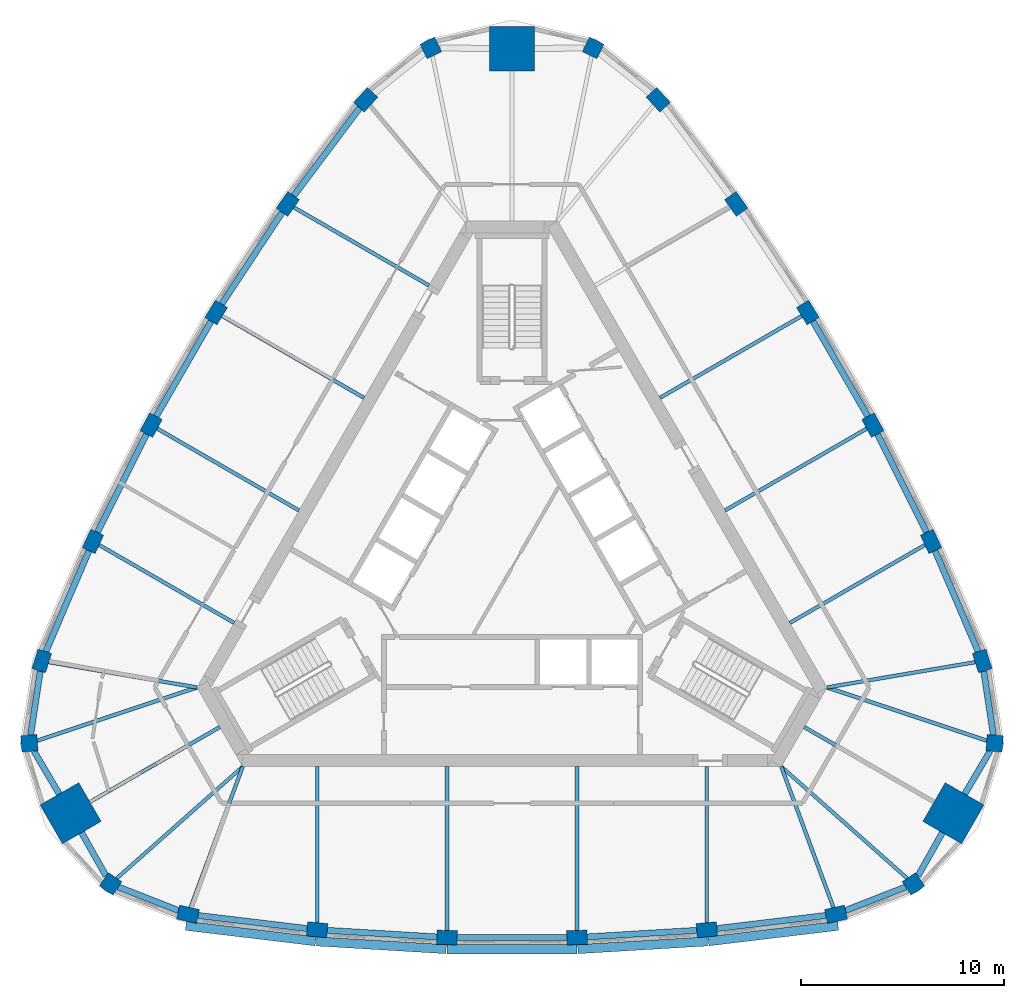
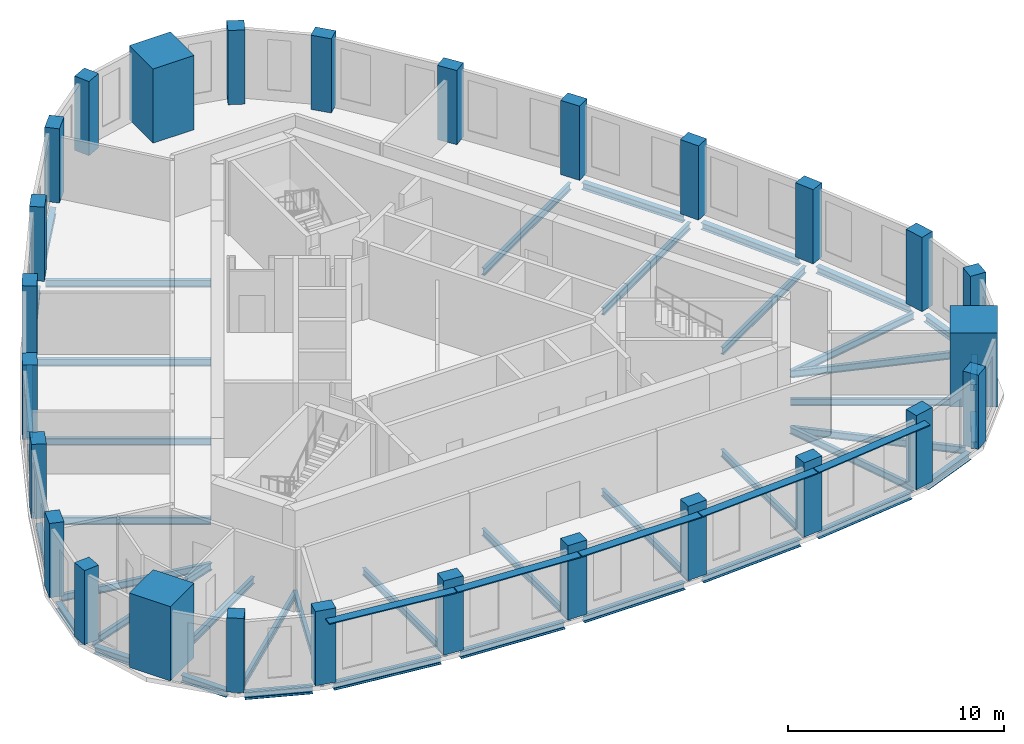
# One storey, part 1 of 8: 42 beams, 27 columns, 5 members.
"""IFC4 building model written with IfcOpenShell, lengths in metres."""

from ifc_helpers import new_model, si_unit, direction, frame, origin, origin_2d, place, context, subcontext, project, spatial, rectangle, i_section, extrude, material, material_profile, profile_set, type_object, element, save


model = new_model("IFC4")

# Units and contexts
model_context = context("Model", 3, precision=1e-05, world=origin(), true_north=direction((0.0, 1.0)))
body_context = subcontext(model_context, "Body", "Model", "MODEL_VIEW")
ifc_project = project(units=[si_unit("LENGTHUNIT", "METRE"), si_unit("AREAUNIT", "SQUARE_METRE"), si_unit("VOLUMEUNIT", "CUBIC_METRE"), si_unit("PLANEANGLEUNIT", "RADIAN"), si_unit("MASSUNIT", "GRAM", prefix="KILO")], contexts=[model_context])

# Site, building, storey
site_placement = place(None, origin())
site = spatial("IfcSite", under=ifc_project, at=site_placement, CompositionType="ELEMENT")
building_placement = place(site_placement, origin())
building = spatial("IfcBuilding", under=site, at=building_placement, Name="Mestral Congress Tower", CompositionType="ELEMENT")
storey_placement = place(building_placement, frame((0.0, 0.0, 317.39990234375)))
storey = spatial("IfcBuildingStorey", under=building, at=storey_placement, Name="L74", CompositionType="ELEMENT", Elevation=317.39990234375)

# Columns
ifc_material_1 = material(Name="Concrete C60/75", Category="concrete")
ifc_material_profile_1 = material_profile(ifc_material_1, rectangle(XDim=1.0, YDim=0.699951171875, at=origin_2d()), Name="RC 1000x700")
ifc_profile_set_1 = profile_set([ifc_material_profile_1], Name="Concrete C60/75")
column_type_1 = type_object("IfcColumnType", Name="Column RC 1000x700 C60/75", PredefinedType="COLUMN", material=ifc_profile_set_1)
for number, where, z_axis, x_axis, name in (
    (1, (-15.940673828125, -17.511962890625, 0.0), (0.0, 0.0, 1.0), (0.976233636503, -0.216720758026, 0.0), "COL-L74-C5-S00"),
    (2, (-9.587158203125, -18.273681640625, 0.0), (0.0, 0.0, 1.0), (0.995997816519, -0.089377567035, 0.0), "COL-L74-C5-S01"),
    (3, (-3.199462890625, -18.6552734375, 0.0), (0.0, 0.0, 1.0), (0.999555031657, -0.029828487872, 0.0), "COL-L74-C5-S02"),
    (4, (3.199462890625, -18.6552734375, 0.0), (0.0, 0.0, 1.0), (0.999555031657, 0.029828487872, 0.0), "COL-L74-C5-S03"),
    (5, (9.587158203125, -18.273681640625, 0.0), (0.0, 0.0, 1.0), (0.995997816519, 0.089377567035, 0.0), "COL-L74-C5-S04"),
    (6, (15.940673828125, -17.511962890625, 0.0), (0.0, 0.0, 1.0), (0.976233636503, 0.216720758026, 0.0), "COL-L74-C5-S05"),
    (7, (23.135986328125, -5.049072265625, 0.0), (0.0, 0.0, 1.0), (-0.300431136274, 0.953803508254, 0.0), "COL-L74-C5-E00"),
    (8, (20.618896484375, 0.833984375, 0.0), (0.0, 0.0, 1.0), (-0.420595664679, 0.907248194737, 0.0), "COL-L74-C5-E01"),
    (9, (17.755615234375, 6.556640625, 0.0), (0.0, 0.0, 1.0), (-0.473945287575, 0.880554293832, 0.0), "COL-L74-C5-E02"),
    (10, (14.55615234375, 12.098388671875, 0.0), (0.0, 0.0, 1.0), (-0.525609744083, 0.850725805959, 0.0), "COL-L74-C5-E03"),
    (11, (11.031982421875, 17.439697265625, 0.0), (0.0, 0.0, 1.0), (-0.57540215184, 0.817870627702, 0.0), "COL-L74-C5-E04"),
    (12, (7.1953125, 22.56103515625, 0.0), (0.0, 0.0, 1.0), (-0.67580250023, 0.737082750228, 0.0), "COL-L74-C5-E05"),
    (13, (-7.1953125, 22.56103515625, 0.0), (0.0, 0.0, 1.0), (-0.67580250023, -0.737082750228, 0.0), "COL-L74-C5-W00"),
    (14, (-11.031982421875, 17.439697265625, 0.0), (0.0, 0.0, 1.0), (-0.57540215184, -0.817870627702, 0.0), "COL-L74-C5-W01"),
    (15, (-14.55615234375, 12.098388671875, 0.0), (0.0, 0.0, 1.0), (-0.525609744083, -0.850725805959, 0.0), "COL-L74-C5-W02"),
    (16, (-17.755615234375, 6.556640625, 0.0), (0.0, 0.0, 1.0), (-0.473945287575, -0.880554293832, 0.0), "COL-L74-C5-W03"),
    (17, (-20.618896484375, 0.833984375, 0.0), (0.0, 0.0, 1.0), (-0.420595664679, -0.907248194737, 0.0), "COL-L74-C5-W04"),
    (18, (-23.135986328125, -5.049072265625, 0.0), (0.0, 0.0, 1.0), (-0.300431136274, -0.953803508254, 0.0), "COL-L74-C5-W05"),
):
    element("IfcColumn", number, at=place(storey_placement, frame(where, z_axis=z_axis, x_axis=x_axis)), inside=storey, type_object=column_type_1, Name=name, PredefinedType="COLUMN", context=body_context, shape_type="SweptSolid", body=[
        extrude(rectangle(XDim=1.0, YDim=0.699951171875, at=origin_2d()), origin(), (0.0, 0.0, 1.0), 4.2001953125),
    ])
ifc_material_profile_2 = material_profile(ifc_material_1, rectangle(XDim=0.800048828125, YDim=0.800048828125, at=origin_2d()), Name="RC 800x800")
ifc_profile_set_2 = profile_set([ifc_material_profile_2], Name="Concrete C60/75")
column_type_2 = type_object("IfcColumnType", Name="Column RC 800x800 C60/75", PredefinedType="COLUMN", material=ifc_profile_set_2)
for number, where, z_axis, x_axis, name in (
    (19, (19.75439453125, -16.0166015625, 0.0), (0.0, 0.0, 1.0), (0.826362775296, 0.563138139008, 0.0), "COL-L74-C5-SE1"),
    (20, (23.748046875, -9.099609375, 0.0), (0.0, 0.0, 1.0), (0.074510546573, 0.997220225652, 0.0), "COL-L74-C5-SE3"),
    (21, (3.993408203125, 25.1162109375, 0.0), (0.0, 0.0, 1.0), (-0.900873321869, 0.434082086644, 0.0), "COL-L74-C5-N1"),
    (22, (-3.993408203125, 25.1162109375, 0.0), (0.0, 0.0, 1.0), (-0.900873321869, -0.434082086644, 0.0), "COL-L74-C5-N3"),
    (23, (-23.748046875, -9.099609375, 0.0), (0.0, 0.0, 1.0), (0.074510546573, -0.997220225652, 0.0), "COL-L74-C5-SW1"),
    (24, (-19.75439453125, -16.0166015625, 0.0), (0.0, 0.0, 1.0), (0.826362775296, -0.563138139008, 0.0), "COL-L74-C5-SW3"),
):
    element("IfcColumn", number, at=place(storey_placement, frame(where, z_axis=z_axis, x_axis=x_axis)), inside=storey, type_object=column_type_2, Name=name, PredefinedType="COLUMN", context=body_context, shape_type="SweptSolid", body=[
        extrude(rectangle(XDim=0.800048828125, YDim=0.800048828125, at=origin_2d()), origin(), (0.0, 0.0, 1.0), 4.2001953125),
    ])
ifc_material_profile_3 = material_profile(ifc_material_1, rectangle(XDim=2.199951171875, YDim=2.199951171875, at=origin_2d()), Name="RC 2200x2200")
ifc_profile_set_3 = profile_set([ifc_material_profile_3], Name="Concrete C60/75")
column_type_3 = type_object("IfcColumnType", Name="Mega column RC 2200x2200 C60/75", PredefinedType="COLUMN", material=ifc_profile_set_3)
for number, where, z_axis, x_axis, name in (
    (25, (21.71826171875, -12.5390625, 0.0), (0.0, 0.0, 1.0), (0.866025403784, -0.5, 0.0), "COL-L74-PY5-SE"),
    (26, (0.0, 25.078125, 0.0), (0.0, 0.0, 1.0), (0.0, 1.0, 0.0), "COL-L74-PY5-N"),
    (27, (-21.71826171875, -12.5390625, 0.0), (0.0, 0.0, 1.0), (-0.866025403784, -0.5, 0.0), "COL-L74-PY5-SW"),
):
    element("IfcColumn", number, at=place(storey_placement, frame(where, z_axis=z_axis, x_axis=x_axis)), inside=storey, type_object=column_type_3, Name=name, PredefinedType="COLUMN", context=body_context, shape_type="SweptSolid", body=[
        extrude(rectangle(XDim=2.199951171875, YDim=2.199951171875, at=origin_2d()), origin(), (0.0, 0.0, 1.0), 4.2001953125),
    ])

# Members
ifc_material_2 = material(Name="Glazed ceramic", Category="masonry")
ifc_material_profile_4 = material_profile(ifc_material_2, rectangle(XDim=0.449951171875, YDim=0.06005859375, at=origin_2d()), Name="Ceramic blade 450 x 60")
ifc_profile_set_4 = profile_set([ifc_material_profile_4], Name="Glazed ceramic")
member_type = type_object("IfcMemberType", Name="Facade sunshade blade 450 x 60", PredefinedType="USERDEFINED", material=ifc_profile_set_4)
member_1_placement = place(storey_placement, frame((-16.04638671875, -18.078369140625, 3.68017578125), z_axis=(0.992890306953, -0.119032929725, 0.0), x_axis=(0.119032929725, 0.992890306953, 0.0)))
element("IfcMember", 28, at=member_1_placement, inside=storey, type_object=member_type, Name="Sunshade F0-00", ObjectType="SUNSHADE", PredefinedType="USERDEFINED", context=body_context, shape_type="SweptSolid", body=[
    extrude(rectangle(XDim=0.449951171875, YDim=0.06005859375, at=origin_2d()), origin(), (0.0, 0.0, 1.0), 6.429931640625),
])
member_2_placement = place(storey_placement, frame((-9.614990234375, -18.84814453125, 3.68017578125), z_axis=(0.998222174469, -0.059602771735, 0.0), x_axis=(0.059602771735, 0.998222174469, 0.0)))
element("IfcMember", 29, at=member_2_placement, inside=storey, type_object=member_type, Name="Sunshade F0-01", ObjectType="SUNSHADE", PredefinedType="USERDEFINED", context=body_context, shape_type="SweptSolid", body=[
    extrude(rectangle(XDim=0.449951171875, YDim=0.06005859375, at=origin_2d()), origin(), (0.0, 0.0, 1.0), 6.385986328125),
])
member_3_placement = place(storey_placement, frame((-3.193115234375, -19.230224609375, 3.68017578125), z_axis=(1.0, 0.0, 0.0), x_axis=(0.0, 1.0, 0.0)))
element("IfcMember", 30, at=member_3_placement, inside=storey, type_object=member_type, Name="Sunshade F0-02", ObjectType="SUNSHADE", PredefinedType="USERDEFINED", context=body_context, shape_type="SweptSolid", body=[
    extrude(rectangle(XDim=0.449951171875, YDim=0.06005859375, at=origin_2d()), origin(), (0.0, 0.0, 1.0), 6.38623046875),
])
member_4_placement = place(storey_placement, frame((3.240478515625, -19.228759765625, 3.68017578125), z_axis=(0.998222174469, 0.059602771735, 0.0), x_axis=(-0.059602771735, 0.998222174469, 0.0)))
element("IfcMember", 31, at=member_4_placement, inside=storey, type_object=member_type, Name="Sunshade F0-03", ObjectType="SUNSHADE", PredefinedType="USERDEFINED", context=body_context, shape_type="SweptSolid", body=[
    extrude(rectangle(XDim=0.449951171875, YDim=0.06005859375, at=origin_2d()), origin(), (0.0, 0.0, 1.0), 6.385986328125),
])
member_5_placement = place(storey_placement, frame((9.662109375, -18.84375, 3.68017578125), z_axis=(0.992890306953, 0.119032929725, 0.0), x_axis=(-0.119032929725, 0.992890306953, 0.0)))
element("IfcMember", 32, at=member_5_placement, inside=storey, type_object=member_type, Name="Sunshade F0-04", ObjectType="SUNSHADE", PredefinedType="USERDEFINED", context=body_context, shape_type="SweptSolid", body=[
    extrude(rectangle(XDim=0.449951171875, YDim=0.06005859375, at=origin_2d()), origin(), (0.0, 0.0, 1.0), 6.429931640625),
])

# Beams
ifc_material_3 = material(Name="Steel S355", Category="steel")
ifc_material_profile_5 = material_profile(ifc_material_3, i_section(OverallWidth=0.179931640625, OverallDepth=0.39990234375, WebThickness=0.008544921875, FlangeThickness=0.013427734375, FilletRadius=0.02099609375, at=origin_2d()), Name="IPE 400")
ifc_profile_set_5 = profile_set([ifc_material_profile_5], Name="Steel S355")
beam_type_1 = type_object("IfcBeamType", Name="Floor beam IPE 400 S355", PredefinedType="BEAM", material=ifc_profile_set_5)
beam_1_placement = place(storey_placement, frame((-15.81787109375, -17.1806640625, -0.449951171875), z_axis=(0.347399345496, 0.937717278687, 0.0), x_axis=(-0.937717278687, 0.347399345496, 0.0)))
element("IfcBeam", 33, at=beam_1_placement, inside=storey, type_object=beam_type_1, Name="BM-L74-RB5-S00", PredefinedType="BEAM", context=body_context, shape_type="SweptSolid", body=[
    extrude(i_section(OverallWidth=0.179931640625, OverallDepth=0.39990234375, WebThickness=0.008544921875, FlangeThickness=0.013427734375, FilletRadius=0.02099609375, at=origin_2d()), origin(), (0.0, 0.0, 1.0), 7.39111328125),
])
beam_2_placement = place(storey_placement, frame((-9.587158203125, -17.92236328125, -0.449951171875), z_axis=(0.0, 1.0, 0.0), x_axis=(-1.0, 0.0, 0.0)))
element("IfcBeam", 34, at=beam_2_placement, inside=storey, type_object=beam_type_1, Name="BM-L74-RB5-S01", PredefinedType="BEAM", context=body_context, shape_type="SweptSolid", body=[
    extrude(i_section(OverallWidth=0.179931640625, OverallDepth=0.39990234375, WebThickness=0.008544921875, FlangeThickness=0.013427734375, FilletRadius=0.02099609375, at=origin_2d()), origin(), (0.0, 0.0, 1.0), 7.67236328125),
])
for number, where, z_axis, x_axis, name in (
    (35, (-3.199462890625, -18.304931640625, -0.449951171875), (0.0, 1.0, 0.0), (-1.0, 0.0, 0.0), "BM-L74-RB5-S02"),
    (36, (3.199462890625, -18.304931640625, -0.449951171875), (0.0, 1.0, 0.0), (-1.0, 0.0, 0.0), "BM-L74-RB5-S03"),
):
    element("IfcBeam", number, at=place(storey_placement, frame(where, z_axis=z_axis, x_axis=x_axis)), inside=storey, type_object=beam_type_1, Name=name, PredefinedType="BEAM", context=body_context, shape_type="SweptSolid", body=[
        extrude(i_section(OverallWidth=0.179931640625, OverallDepth=0.39990234375, WebThickness=0.008544921875, FlangeThickness=0.013427734375, FilletRadius=0.02099609375, at=origin_2d()), origin(), (0.0, 0.0, 1.0), 8.054931640625),
    ])
beam_3_placement = place(storey_placement, frame((9.587158203125, -17.92236328125, -0.449951171875), z_axis=(0.0, 1.0, 0.0), x_axis=(-1.0, 0.0, 0.0)))
element("IfcBeam", 37, at=beam_3_placement, inside=storey, type_object=beam_type_1, Name="BM-L74-RB5-S04", PredefinedType="BEAM", context=body_context, shape_type="SweptSolid", body=[
    extrude(i_section(OverallWidth=0.179931640625, OverallDepth=0.39990234375, WebThickness=0.008544921875, FlangeThickness=0.013427734375, FilletRadius=0.02099609375, at=origin_2d()), origin(), (0.0, 0.0, 1.0), 7.67236328125),
])
beam_4_placement = place(storey_placement, frame((15.81787109375, -17.1806640625, -0.449951171875), z_axis=(-0.347399345496, 0.937717278687, 0.0), x_axis=(-0.937717278687, -0.347399345496, 0.0)))
element("IfcBeam", 38, at=beam_4_placement, inside=storey, type_object=beam_type_1, Name="BM-L74-RB5-S05", PredefinedType="BEAM", context=body_context, shape_type="SweptSolid", body=[
    extrude(i_section(OverallWidth=0.179931640625, OverallDepth=0.39990234375, WebThickness=0.008544921875, FlangeThickness=0.013427734375, FilletRadius=0.02099609375, at=origin_2d()), origin(), (0.0, 0.0, 1.0), 7.39111328125),
])
beam_5_placement = place(storey_placement, frame((19.44580078125, -15.742919921875, -0.449951171875), z_axis=(-0.74826277439, 0.663402457383, 0.0), x_axis=(-0.663402457383, -0.74826277439, 0.0)))
element("IfcBeam", 39, at=beam_5_placement, inside=storey, type_object=beam_type_1, Name="BM-L74-RB5-SE1", PredefinedType="BEAM", context=body_context, shape_type="SweptSolid", body=[
    extrude(i_section(OverallWidth=0.179931640625, OverallDepth=0.39990234375, WebThickness=0.008544921875, FlangeThickness=0.013427734375, FilletRadius=0.02099609375, at=origin_2d()), origin(), (0.0, 0.0, 1.0), 8.280029296875),
])
beam_6_placement = place(storey_placement, frame((20.765625, -11.989013671875, -0.449951171875), z_axis=(-0.866031296205, 0.499989793889, 0.0), x_axis=(-0.499989793889, -0.866031296205, 0.0)))
element("IfcBeam", 40, at=beam_6_placement, inside=storey, type_object=beam_type_1, Name="BM-L74-RB5-SE", PredefinedType="BEAM", context=body_context, shape_type="SweptSolid", body=[
    extrude(i_section(OverallWidth=0.179931640625, OverallDepth=0.39990234375, WebThickness=0.008544921875, FlangeThickness=0.013427734375, FilletRadius=0.02099609375, at=origin_2d()), origin(), (0.0, 0.0, 1.0), 7.378173828125),
])
beam_7_placement = place(storey_placement, frame((23.356689453125, -8.968994140625, -0.449951171875), z_axis=(-0.948659706446, 0.316298532031, 0.0), x_axis=(-0.316298532031, -0.948659706446, 0.0)))
element("IfcBeam", 41, at=beam_7_placement, inside=storey, type_object=beam_type_1, Name="BM-L74-RB5-SE3", PredefinedType="BEAM", context=body_context, shape_type="SweptSolid", body=[
    extrude(i_section(OverallWidth=0.179931640625, OverallDepth=0.39990234375, WebThickness=0.008544921875, FlangeThickness=0.013427734375, FilletRadius=0.02099609375, at=origin_2d()), origin(), (0.0, 0.0, 1.0), 8.27978515625),
])
beam_8_placement = place(storey_placement, frame((22.787841796875, -5.1083984375, -0.449951171875), z_axis=(-0.985786503242, -0.168002886958, 0.0), x_axis=(0.168002886958, -0.985786503242, 0.0)))
element("IfcBeam", 42, at=beam_8_placement, inside=storey, type_object=beam_type_1, Name="BM-L74-RB5-E00", PredefinedType="BEAM", context=body_context, shape_type="SweptSolid", body=[
    extrude(i_section(OverallWidth=0.179931640625, OverallDepth=0.39990234375, WebThickness=0.008544921875, FlangeThickness=0.013427734375, FilletRadius=0.02099609375, at=origin_2d()), origin(), (0.0, 0.0, 1.0), 7.390869140625),
])
beam_9_placement = place(storey_placement, frame((20.314697265625, 0.658447265625, -0.449951171875), z_axis=(-0.866019720907, -0.500009842903, 0.0), x_axis=(0.500009842903, -0.866019720907, 0.0)))
element("IfcBeam", 43, at=beam_9_placement, inside=storey, type_object=beam_type_1, Name="BM-L74-RB5-E01", PredefinedType="BEAM", context=body_context, shape_type="SweptSolid", body=[
    extrude(i_section(OverallWidth=0.179931640625, OverallDepth=0.39990234375, WebThickness=0.008544921875, FlangeThickness=0.013427734375, FilletRadius=0.02099609375, at=origin_2d()), origin(), (0.0, 0.0, 1.0), 7.672119140625),
])
for number, where, z_axis, x_axis, name in (
    (44, (17.452392578125, 6.381591796875, -0.449951171875), (-0.866020537834, -0.500008427979, 0.0), (0.500008427979, -0.866020537834, 0.0), "BM-L74-RB5-E02"),
    (45, (14.2529296875, 11.92333984375, -0.449951171875), (-0.866033662086, -0.499985695929, 0.0), (0.499985695929, -0.866033662086, 0.0), "BM-L74-RB5-E03"),
):
    element("IfcBeam", number, at=place(storey_placement, frame(where, z_axis=z_axis, x_axis=x_axis)), inside=storey, type_object=beam_type_1, Name=name, PredefinedType="BEAM", context=body_context, shape_type="SweptSolid", body=[
        extrude(i_section(OverallWidth=0.179931640625, OverallDepth=0.39990234375, WebThickness=0.008544921875, FlangeThickness=0.013427734375, FilletRadius=0.02099609375, at=origin_2d()), origin(), (0.0, 0.0, 1.0), 8.054931640625),
    ])
beam_10_placement = place(storey_placement, frame((-10.7275390625, 17.263916015625, -0.449951171875), z_axis=(0.866019720907, -0.500009842903, 0.0), x_axis=(0.500009842903, 0.866019720907, 0.0)))
element("IfcBeam", 46, at=beam_10_placement, inside=storey, type_object=beam_type_1, Name="BM-L74-RB5-W01", PredefinedType="BEAM", context=body_context, shape_type="SweptSolid", body=[
    extrude(i_section(OverallWidth=0.179931640625, OverallDepth=0.39990234375, WebThickness=0.008544921875, FlangeThickness=0.013427734375, FilletRadius=0.02099609375, at=origin_2d()), origin(), (0.0, 0.0, 1.0), 7.672119140625),
])
for number, where, z_axis, x_axis, name in (
    (47, (-14.2529296875, 11.92333984375, -0.449951171875), (0.866033662086, -0.499985695929, 0.0), (0.499985695929, 0.866033662086, 0.0), "BM-L74-RB5-W02"),
    (48, (-17.452392578125, 6.381591796875, -0.449951171875), (0.866020537834, -0.500008427979, 0.0), (0.500008427979, 0.866020537834, 0.0), "BM-L74-RB5-W03"),
):
    element("IfcBeam", number, at=place(storey_placement, frame(where, z_axis=z_axis, x_axis=x_axis)), inside=storey, type_object=beam_type_1, Name=name, PredefinedType="BEAM", context=body_context, shape_type="SweptSolid", body=[
        extrude(i_section(OverallWidth=0.179931640625, OverallDepth=0.39990234375, WebThickness=0.008544921875, FlangeThickness=0.013427734375, FilletRadius=0.02099609375, at=origin_2d()), origin(), (0.0, 0.0, 1.0), 8.054931640625),
    ])
beam_11_placement = place(storey_placement, frame((-20.314697265625, 0.658447265625, -0.449951171875), z_axis=(0.866019720907, -0.500009842903, 0.0), x_axis=(0.500009842903, 0.866019720907, 0.0)))
element("IfcBeam", 49, at=beam_11_placement, inside=storey, type_object=beam_type_1, Name="BM-L74-RB5-W04", PredefinedType="BEAM", context=body_context, shape_type="SweptSolid", body=[
    extrude(i_section(OverallWidth=0.179931640625, OverallDepth=0.39990234375, WebThickness=0.008544921875, FlangeThickness=0.013427734375, FilletRadius=0.02099609375, at=origin_2d()), origin(), (0.0, 0.0, 1.0), 7.672119140625),
])
beam_12_placement = place(storey_placement, frame((-22.787841796875, -5.1083984375, -0.449951171875), z_axis=(0.985786503242, -0.168002886958, 0.0), x_axis=(0.168002886958, 0.985786503242, 0.0)))
element("IfcBeam", 50, at=beam_12_placement, inside=storey, type_object=beam_type_1, Name="BM-L74-RB5-W05", PredefinedType="BEAM", context=body_context, shape_type="SweptSolid", body=[
    extrude(i_section(OverallWidth=0.179931640625, OverallDepth=0.39990234375, WebThickness=0.008544921875, FlangeThickness=0.013427734375, FilletRadius=0.02099609375, at=origin_2d()), origin(), (0.0, 0.0, 1.0), 7.390869140625),
])
beam_13_placement = place(storey_placement, frame((-23.356689453125, -8.968994140625, -0.449951171875), z_axis=(0.948659706446, 0.316298532031, 0.0), x_axis=(-0.316298532031, 0.948659706446, 0.0)))
element("IfcBeam", 51, at=beam_13_placement, inside=storey, type_object=beam_type_1, Name="BM-L74-RB5-SW1", PredefinedType="BEAM", context=body_context, shape_type="SweptSolid", body=[
    extrude(i_section(OverallWidth=0.179931640625, OverallDepth=0.39990234375, WebThickness=0.008544921875, FlangeThickness=0.013427734375, FilletRadius=0.02099609375, at=origin_2d()), origin(), (0.0, 0.0, 1.0), 8.27978515625),
])
beam_14_placement = place(storey_placement, frame((-20.765625, -11.989013671875, -0.449951171875), z_axis=(0.866031296205, 0.499989793889, 0.0), x_axis=(-0.499989793889, 0.866031296205, 0.0)))
element("IfcBeam", 52, at=beam_14_placement, inside=storey, type_object=beam_type_1, Name="BM-L74-RB5-SW", PredefinedType="BEAM", context=body_context, shape_type="SweptSolid", body=[
    extrude(i_section(OverallWidth=0.179931640625, OverallDepth=0.39990234375, WebThickness=0.008544921875, FlangeThickness=0.013427734375, FilletRadius=0.02099609375, at=origin_2d()), origin(), (0.0, 0.0, 1.0), 7.378173828125),
])
beam_15_placement = place(storey_placement, frame((-19.44580078125, -15.742919921875, -0.449951171875), z_axis=(0.74826277439, 0.663402457383, 0.0), x_axis=(-0.663402457383, 0.74826277439, 0.0)))
element("IfcBeam", 53, at=beam_15_placement, inside=storey, type_object=beam_type_1, Name="BM-L74-RB5-SW3", PredefinedType="BEAM", context=body_context, shape_type="SweptSolid", body=[
    extrude(i_section(OverallWidth=0.179931640625, OverallDepth=0.39990234375, WebThickness=0.008544921875, FlangeThickness=0.013427734375, FilletRadius=0.02099609375, at=origin_2d()), origin(), (0.0, 0.0, 1.0), 8.280029296875),
])
ifc_material_profile_6 = material_profile(ifc_material_3, i_section(OverallWidth=0.300048828125, OverallDepth=0.389892578125, WebThickness=0.010986328125, FlangeThickness=0.01904296875, FilletRadius=0.027099609375, at=origin_2d()), Name="HEA 400")
ifc_profile_set_6 = profile_set([ifc_material_profile_6], Name="Steel S355")
beam_type_2 = type_object("IfcBeamType", Name="Spandrel beam HEA 400 S355", PredefinedType="BEAM", material=ifc_profile_set_6)
beam_16_placement = place(storey_placement, frame((-15.44189453125, -17.57177734375, -0.44482421875), z_axis=(0.992890319222, -0.119032827389, 0.0), x_axis=(0.119032827389, 0.992890319222, 0.0)))
element("IfcBeam", 54, at=beam_16_placement, inside=storey, type_object=beam_type_2, Name="SP-L74-SB5-S00", PredefinedType="BEAM", context=body_context, shape_type="SweptSolid", body=[
    extrude(i_section(OverallWidth=0.300048828125, OverallDepth=0.389892578125, WebThickness=0.010986328125, FlangeThickness=0.01904296875, FilletRadius=0.027099609375, at=origin_2d()), origin(), (0.0, 0.0, 1.0), 5.396240234375),
])
beam_17_placement = place(storey_placement, frame((-9.087890625, -18.303466796875, -0.44482421875), z_axis=(0.998219522722, -0.059647166371, 0.0), x_axis=(0.059647166371, 0.998219522722, 0.0)))
element("IfcBeam", 55, at=beam_17_placement, inside=storey, type_object=beam_type_2, Name="SP-L74-SB5-S01", PredefinedType="BEAM", context=body_context, shape_type="SweptSolid", body=[
    extrude(i_section(OverallWidth=0.300048828125, OverallDepth=0.389892578125, WebThickness=0.010986328125, FlangeThickness=0.01904296875, FilletRadius=0.027099609375, at=origin_2d()), origin(), (0.0, 0.0, 1.0), 5.398681640625),
])
beam_18_placement = place(storey_placement, frame((-2.69921875, -18.6552734375, -0.44482421875), z_axis=(1.0, 0.0, 0.0), x_axis=(0.0, 1.0, 0.0)))
element("IfcBeam", 56, at=beam_18_placement, inside=storey, type_object=beam_type_2, Name="SP-L74-SB5-S02", PredefinedType="BEAM", context=body_context, shape_type="SweptSolid", body=[
    extrude(i_section(OverallWidth=0.300048828125, OverallDepth=0.389892578125, WebThickness=0.010986328125, FlangeThickness=0.01904296875, FilletRadius=0.027099609375, at=origin_2d()), origin(), (0.0, 0.0, 1.0), 5.3984375),
])
beam_19_placement = place(storey_placement, frame((3.69873046875, -18.62548828125, -0.44482421875), z_axis=(0.998219522722, 0.059647166371, 0.0), x_axis=(-0.059647166371, 0.998219522722, 0.0)))
element("IfcBeam", 57, at=beam_19_placement, inside=storey, type_object=beam_type_2, Name="SP-L74-SB5-S03", PredefinedType="BEAM", context=body_context, shape_type="SweptSolid", body=[
    extrude(i_section(OverallWidth=0.300048828125, OverallDepth=0.389892578125, WebThickness=0.010986328125, FlangeThickness=0.01904296875, FilletRadius=0.027099609375, at=origin_2d()), origin(), (0.0, 0.0, 1.0), 5.398681640625),
])
beam_20_placement = place(storey_placement, frame((10.083984375, -18.214111328125, -0.44482421875), z_axis=(0.992890319222, 0.119032827389, 0.0), x_axis=(-0.119032827389, 0.992890319222, 0.0)))
element("IfcBeam", 58, at=beam_20_placement, inside=storey, type_object=beam_type_2, Name="SP-L74-SB5-S04", PredefinedType="BEAM", context=body_context, shape_type="SweptSolid", body=[
    extrude(i_section(OverallWidth=0.300048828125, OverallDepth=0.389892578125, WebThickness=0.010986328125, FlangeThickness=0.01904296875, FilletRadius=0.027099609375, at=origin_2d()), origin(), (0.0, 0.0, 1.0), 5.396240234375),
])
beam_21_placement = place(storey_placement, frame((16.411865234375, -17.3271484375, -0.44482421875), z_axis=(0.930980873283, 0.365067957485, 0.0), x_axis=(-0.365067957485, 0.930980873283, 0.0)))
element("IfcBeam", 59, at=beam_21_placement, inside=storey, type_object=beam_type_2, Name="SP-L74-SB5-S05", PredefinedType="BEAM", context=body_context, shape_type="SweptSolid", body=[
    extrude(i_section(OverallWidth=0.300048828125, OverallDepth=0.389892578125, WebThickness=0.010986328125, FlangeThickness=0.01904296875, FilletRadius=0.027099609375, at=origin_2d()), origin(), (0.0, 0.0, 1.0), 3.179931640625),
])
beam_22_placement = place(storey_placement, frame((19.9736328125, -15.628173828125, -0.44482421875), z_axis=(0.491728558518, 0.870748542771, 0.0), x_axis=(-0.870748542771, 0.491728558518, 0.0)))
element("IfcBeam", 60, at=beam_22_placement, inside=storey, type_object=beam_type_2, Name="SP-L74-SB5-SE1", PredefinedType="BEAM", context=body_context, shape_type="SweptSolid", body=[
    extrude(i_section(OverallWidth=0.300048828125, OverallDepth=0.389892578125, WebThickness=0.010986328125, FlangeThickness=0.01904296875, FilletRadius=0.027099609375, at=origin_2d()), origin(), (0.0, 0.0, 1.0), 2.44775390625),
])
beam_23_placement = place(storey_placement, frame((22.27734375, -11.591552734375, -0.44482421875), z_axis=(0.508218412694, 0.861228218882, 0.0), x_axis=(-0.861228218882, 0.508218412694, 0.0)))
element("IfcBeam", 61, at=beam_23_placement, inside=storey, type_object=beam_type_2, Name="SP-L74-SB5-SE", PredefinedType="BEAM", context=body_context, shape_type="SweptSolid", body=[
    extrude(i_section(OverallWidth=0.300048828125, OverallDepth=0.389892578125, WebThickness=0.010986328125, FlangeThickness=0.01904296875, FilletRadius=0.027099609375, at=origin_2d()), origin(), (0.0, 0.0, 1.0), 2.447509765625),
])
beam_24_placement = place(storey_placement, frame((23.686767578125, -8.69384765625, -0.44482421875), z_axis=(-0.149402818736, 0.98877641444, 0.0), x_axis=(-0.98877641444, -0.149402818736, 0.0)))
element("IfcBeam", 62, at=beam_24_placement, inside=storey, type_object=beam_type_2, Name="SP-L74-SB5-SE3", PredefinedType="BEAM", context=body_context, shape_type="SweptSolid", body=[
    extrude(i_section(OverallWidth=0.300048828125, OverallDepth=0.389892578125, WebThickness=0.010986328125, FlangeThickness=0.01904296875, FilletRadius=0.027099609375, at=origin_2d()), origin(), (0.0, 0.0, 1.0), 3.179931640625),
])
beam_25_placement = place(storey_placement, frame((22.9384765625, -4.587158203125, -0.44482421875), z_axis=(-0.393367759324, 0.919381208164, 0.0), x_axis=(-0.919381208164, -0.393367759324, 0.0)))
element("IfcBeam", 63, at=beam_25_placement, inside=storey, type_object=beam_type_2, Name="SP-L74-SB5-E00", PredefinedType="BEAM", context=body_context, shape_type="SweptSolid", body=[
    extrude(i_section(OverallWidth=0.300048828125, OverallDepth=0.389892578125, WebThickness=0.010986328125, FlangeThickness=0.01904296875, FilletRadius=0.027099609375, at=origin_2d()), origin(), (0.0, 0.0, 1.0), 5.396484375),
])
beam_26_placement = place(storey_placement, frame((20.395263671875, 1.281494140625, -0.44482421875), z_axis=(-0.44748491494, 0.894291479832, 0.0), x_axis=(-0.894291479832, -0.44748491494, 0.0)))
element("IfcBeam", 64, at=beam_26_placement, inside=storey, type_object=beam_type_2, Name="SP-L74-SB5-E01", PredefinedType="BEAM", context=body_context, shape_type="SweptSolid", body=[
    extrude(i_section(OverallWidth=0.300048828125, OverallDepth=0.389892578125, WebThickness=0.010986328125, FlangeThickness=0.01904296875, FilletRadius=0.027099609375, at=origin_2d()), origin(), (0.0, 0.0, 1.0), 5.3984375),
])
beam_27_placement = place(storey_placement, frame((17.505615234375, 6.989990234375, -0.44482421875), z_axis=(-0.500025177812, 0.86601086688, 0.0), x_axis=(-0.86601086688, -0.500025177812, 0.0)))
element("IfcBeam", 65, at=beam_27_placement, inside=storey, type_object=beam_type_2, Name="SP-L74-SB5-E02", PredefinedType="BEAM", context=body_context, shape_type="SweptSolid", body=[
    extrude(i_section(OverallWidth=0.300048828125, OverallDepth=0.389892578125, WebThickness=0.010986328125, FlangeThickness=0.01904296875, FilletRadius=0.027099609375, at=origin_2d()), origin(), (0.0, 0.0, 1.0), 5.398681640625),
])
beam_28_placement = place(storey_placement, frame((-7.49658203125, 22.158935546875, -0.44482421875), z_axis=(-0.599529393236, -0.800352738888, 0.0), x_axis=(0.800352738888, -0.599529393236, 0.0)))
element("IfcBeam", 66, at=beam_28_placement, inside=storey, type_object=beam_type_2, Name="SP-L74-SB5-W00", PredefinedType="BEAM", context=body_context, shape_type="SweptSolid", body=[
    extrude(i_section(OverallWidth=0.300048828125, OverallDepth=0.389892578125, WebThickness=0.010986328125, FlangeThickness=0.01904296875, FilletRadius=0.027099609375, at=origin_2d()), origin(), (0.0, 0.0, 1.0), 5.396484375),
])
beam_29_placement = place(storey_placement, frame((-11.307373046875, 17.02197265625, -0.44482421875), z_axis=(-0.550748957655, -0.83467094453, 0.0), x_axis=(0.83467094453, -0.550748957655, 0.0)))
element("IfcBeam", 67, at=beam_29_placement, inside=storey, type_object=beam_type_2, Name="SP-L74-SB5-W01", PredefinedType="BEAM", context=body_context, shape_type="SweptSolid", body=[
    extrude(i_section(OverallWidth=0.300048828125, OverallDepth=0.389892578125, WebThickness=0.010986328125, FlangeThickness=0.01904296875, FilletRadius=0.027099609375, at=origin_2d()), origin(), (0.0, 0.0, 1.0), 5.3984375),
])
beam_30_placement = place(storey_placement, frame((-14.80615234375, 11.665283203125, -0.44482421875), z_axis=(-0.500025177812, -0.86601086688, 0.0), x_axis=(0.86601086688, -0.500025177812, 0.0)))
element("IfcBeam", 68, at=beam_30_placement, inside=storey, type_object=beam_type_2, Name="SP-L74-SB5-W02", PredefinedType="BEAM", context=body_context, shape_type="SweptSolid", body=[
    extrude(i_section(OverallWidth=0.300048828125, OverallDepth=0.389892578125, WebThickness=0.010986328125, FlangeThickness=0.01904296875, FilletRadius=0.027099609375, at=origin_2d()), origin(), (0.0, 0.0, 1.0), 5.398681640625),
])
beam_31_placement = place(storey_placement, frame((-17.9794921875, 6.109375, -0.44482421875), z_axis=(-0.44748491494, -0.894291479832, 0.0), x_axis=(0.894291479832, -0.44748491494, 0.0)))
element("IfcBeam", 69, at=beam_31_placement, inside=storey, type_object=beam_type_2, Name="SP-L74-SB5-W03", PredefinedType="BEAM", context=body_context, shape_type="SweptSolid", body=[
    extrude(i_section(OverallWidth=0.300048828125, OverallDepth=0.389892578125, WebThickness=0.010986328125, FlangeThickness=0.01904296875, FilletRadius=0.027099609375, at=origin_2d()), origin(), (0.0, 0.0, 1.0), 5.3984375),
])
beam_32_placement = place(storey_placement, frame((-20.815673828125, 0.374267578125, -0.44482421875), z_axis=(-0.393367759324, -0.919381208164, 0.0), x_axis=(0.919381208164, -0.393367759324, 0.0)))
element("IfcBeam", 70, at=beam_32_placement, inside=storey, type_object=beam_type_2, Name="SP-L74-SB5-W04", PredefinedType="BEAM", context=body_context, shape_type="SweptSolid", body=[
    extrude(i_section(OverallWidth=0.300048828125, OverallDepth=0.389892578125, WebThickness=0.010986328125, FlangeThickness=0.01904296875, FilletRadius=0.027099609375, at=origin_2d()), origin(), (0.0, 0.0, 1.0), 5.396484375),
])
beam_33_placement = place(storey_placement, frame((-23.211669921875, -5.549560546875, -0.44482421875), z_axis=(-0.149402818736, -0.98877641444, 0.0), x_axis=(0.98877641444, -0.149402818736, 0.0)))
element("IfcBeam", 71, at=beam_33_placement, inside=storey, type_object=beam_type_2, Name="SP-L74-SB5-W05", PredefinedType="BEAM", context=body_context, shape_type="SweptSolid", body=[
    extrude(i_section(OverallWidth=0.300048828125, OverallDepth=0.389892578125, WebThickness=0.010986328125, FlangeThickness=0.01904296875, FilletRadius=0.027099609375, at=origin_2d()), origin(), (0.0, 0.0, 1.0), 3.179931640625),
])
beam_34_placement = place(storey_placement, frame((-23.521240234375, -9.483642578125, -0.44482421875), z_axis=(0.508218412694, -0.861228218882, 0.0), x_axis=(0.861228218882, 0.508218412694, 0.0)))
element("IfcBeam", 72, at=beam_34_placement, inside=storey, type_object=beam_type_2, Name="SP-L74-SB5-SW1", PredefinedType="BEAM", context=body_context, shape_type="SweptSolid", body=[
    extrude(i_section(OverallWidth=0.300048828125, OverallDepth=0.389892578125, WebThickness=0.010986328125, FlangeThickness=0.01904296875, FilletRadius=0.027099609375, at=origin_2d()), origin(), (0.0, 0.0, 1.0), 2.447509765625),
])
beam_35_placement = place(storey_placement, frame((-21.17724609375, -13.496826171875, -0.44482421875), z_axis=(0.491728558518, -0.870748542771, 0.0), x_axis=(0.870748542771, 0.491728558518, 0.0)))
element("IfcBeam", 73, at=beam_35_placement, inside=storey, type_object=beam_type_2, Name="SP-L74-SB5-SW", PredefinedType="BEAM", context=body_context, shape_type="SweptSolid", body=[
    extrude(i_section(OverallWidth=0.300048828125, OverallDepth=0.389892578125, WebThickness=0.010986328125, FlangeThickness=0.01904296875, FilletRadius=0.027099609375, at=origin_2d()), origin(), (0.0, 0.0, 1.0), 2.44775390625),
])
beam_36_placement = place(storey_placement, frame((-19.372314453125, -16.166259765625, -0.44482421875), z_axis=(0.930980873283, -0.365067957485, 0.0), x_axis=(0.365067957485, 0.930980873283, 0.0)))
element("IfcBeam", 74, at=beam_36_placement, inside=storey, type_object=beam_type_2, Name="SP-L74-SB5-SW3", PredefinedType="BEAM", context=body_context, shape_type="SweptSolid", body=[
    extrude(i_section(OverallWidth=0.300048828125, OverallDepth=0.389892578125, WebThickness=0.010986328125, FlangeThickness=0.01904296875, FilletRadius=0.027099609375, at=origin_2d()), origin(), (0.0, 0.0, 1.0), 3.179931640625),
])

save(model, "model.ifc")
